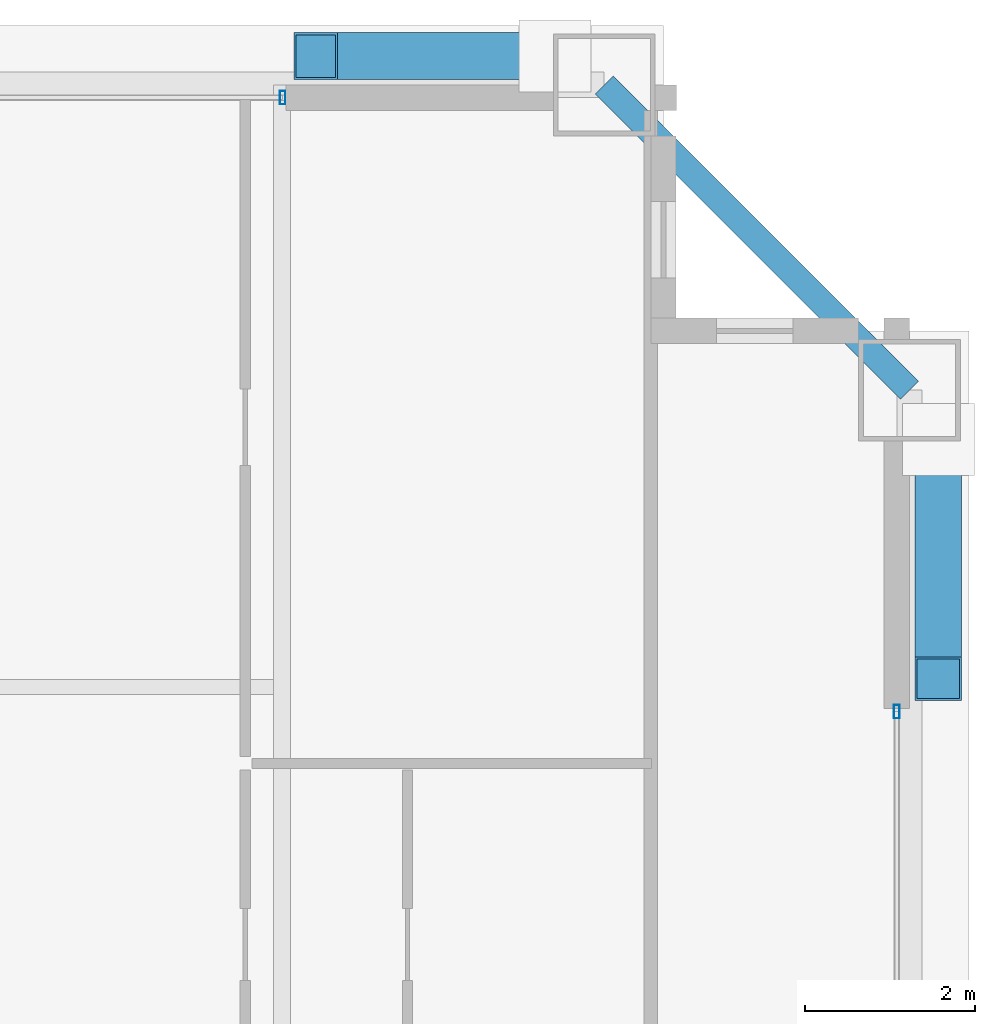
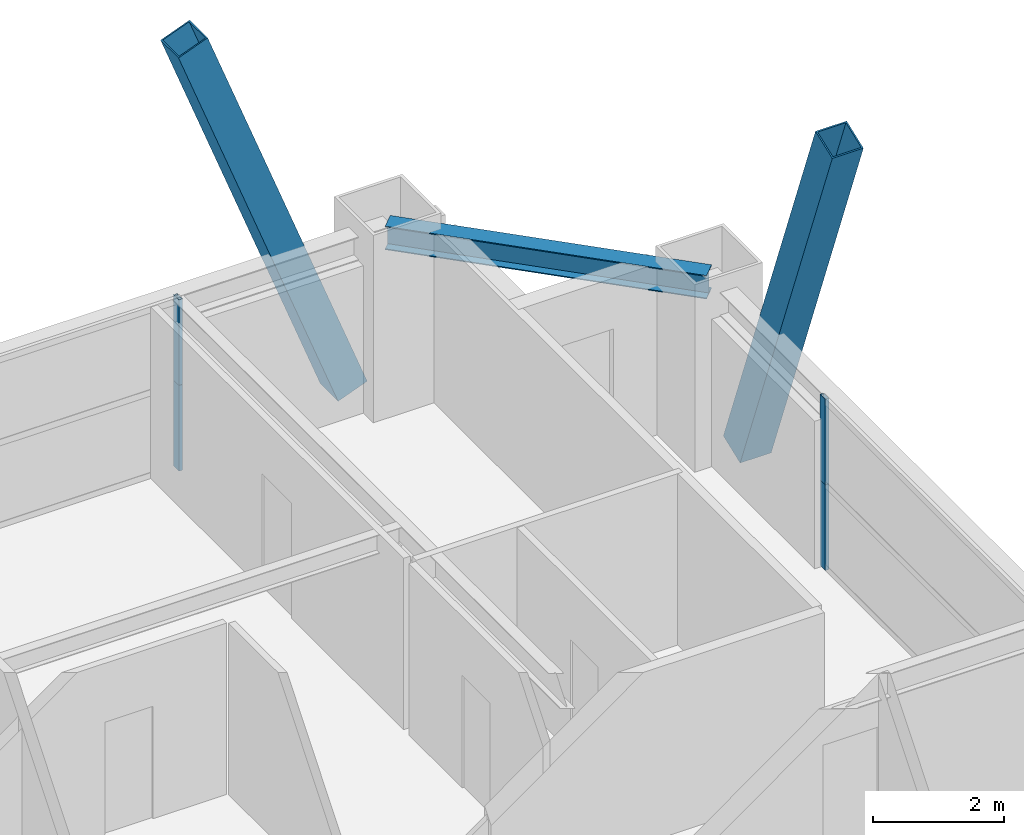
# One storey, part 29 of 36: 6 members, 1 beam, 2 elements without a shape of their own.
"""IFC4 building model written with IfcOpenShell, lengths in metres."""

from ifc_helpers import new_model, si_unit, direction, frame, origin, origin_2d, place, context, subcontext, project, spatial, hollow_rectangle, i_section, extrude, source, transform, mapped, material, layer, layer_set, material_profile, profile_set, type_object, element, aggregate, save


model = new_model("IFC4")

# Units and contexts
model_context = context("Model", 3, precision=1e-05, world=origin(), true_north=direction((0.0, 1.0)))
body_context = subcontext(model_context, "Body", "Model", "MODEL_VIEW")
ifc_project = project(units=[si_unit("LENGTHUNIT", "METRE"), si_unit("AREAUNIT", "SQUARE_METRE"), si_unit("VOLUMEUNIT", "CUBIC_METRE"), si_unit("PLANEANGLEUNIT", "RADIAN"), si_unit("MASSUNIT", "GRAM", prefix="KILO"), si_unit("THERMODYNAMICTEMPERATUREUNIT", "KELVIN"), si_unit("POWERUNIT", "WATT")], contexts=[model_context])

# Site, building, storey
site_placement = place(None, origin())
site = spatial("IfcSite", under=ifc_project, at=site_placement, CompositionType="ELEMENT")
building_placement = place(site_placement, origin())
building = spatial("IfcBuilding", under=site, at=building_placement, Name="Yuzanri Waterfront Tower", CompositionType="ELEMENT")
storey_placement = place(building_placement, frame((0.0, 0.0, 255.60009765625)))
storey = spatial("IfcBuildingStorey", under=building, at=storey_placement, Name="L68", CompositionType="ELEMENT", Elevation=255.60009765625)

# Beam
ifc_material_1 = material(Name="Steel Q355B", Category="steel")
ifc_material_profile_1 = material_profile(ifc_material_1, i_section(OverallWidth=0.300048828125, OverallDepth=0.43994140625, WebThickness=0.010986328125, FlangeThickness=0.01806640625, at=origin_2d()), Name="HM 440x300x11x18")
ifc_profile_set_1 = profile_set([ifc_material_profile_1], Name="Steel Q355B")
beam_type = type_object("IfcBeamType", Name="Perimeter Spandrel Q355B HM 440x300", PredefinedType="SPANDREL", material=ifc_profile_set_1)
shared_shape_1 = source(origin(), body_context, "Body", "SweptSolid", [
    extrude(i_section(OverallWidth=0.300048828125, OverallDepth=0.43994140625, WebThickness=0.010986328125, FlangeThickness=0.01806640625, at=origin_2d()), origin(), (0.0, 0.0, 1.0), 5.091064453125),
])
beam_placement = place(storey_placement, frame((57.60009765625, 42.800048828125, 2.97998046875), z_axis=(-0.707130757816, 0.707082803744, 0.0), x_axis=(-0.707082803744, -0.707130757816, 0.0)))
element("IfcBeam", 1, at=beam_placement, inside=storey, type_object=beam_type, Name="L68 Perimeter Spandrel E3-N3", PredefinedType="SPANDREL", context=body_context, shape_type="MappedRepresentation", body=[
    mapped(shared_shape_1, transform((0.0, 0.0, 0.0), scale=1.0)),
])

# Members
ifc_material_2 = material(Name="Steel Q390GJC", Category="steel")
ifc_material_profile_2 = material_profile(ifc_material_2, hollow_rectangle(XDim=0.550048828125, YDim=0.550048828125, WallThickness=0.02490234375, at=origin_2d()), Name="RHS 550x550x25")
ifc_profile_set_2 = profile_set([ifc_material_profile_2], Name="Steel Q390GJC")
member_type_1 = type_object("IfcMemberType", Name="Mega Brace Mid Q390GJC RHS 550x550x25", PredefinedType="BRACE", material=ifc_profile_set_2)
shared_shape_2 = source(origin(), body_context, "Body", "SweptSolid", [
    extrude(hollow_rectangle(XDim=0.550048828125, YDim=0.550048828125, WallThickness=0.02490234375, at=origin_2d()), origin(), (0.0, 0.0, 1.0), 7.9189453125),
])
for number, where, z_axis, x_axis, name in (
    (2, (53.419921875, 46.739990234375, 0.179931640625), (-0.356085068362, 0.0, 0.934453543034), (0.0, -1.0, 0.0), "L68-L69 Perimeter Mega-Brace N-R"),
    (3, (57.93994140625, 42.219970703125, 0.179931640625), (0.0, -0.356111988672, 0.934443284274), (1.0, 0.0, 0.0), "L68-L69 Perimeter Mega-Brace E-R"),
):
    element("IfcMember", number, at=place(storey_placement, frame(where, z_axis=z_axis, x_axis=x_axis)), inside=storey, type_object=member_type_1, Name=name, PredefinedType="BRACE", context=body_context, shape_type="MappedRepresentation", body=[
        mapped(shared_shape_2, transform((0.0, 0.0, 0.0), scale=1.0)),
    ])

# Curtain wall, member
ifc_material_3 = material(Name="Anodized Architectural Bronze", Category="metal")
ifc_layer = layer(ifc_material_3, 0.159912109375)
ifc_layer_set = layer_set([ifc_layer], Name="Anodized Architectural Bronze")
curtain_wall_type = type_object("IfcCurtainWallType", Name="Anodized Bronze Mid-Rise Residential Acoustic Unitized Curtain Wall 7200", PredefinedType="NOTDEFINED", material=ifc_layer_set)
curtain_wall_1_placement = place(storey_placement, origin())
curtain_wall_1 = element("IfcCurtainWall", 4, at=curtain_wall_1_placement, inside=storey, type_object=curtain_wall_type, Name="L68 Curtain Wall CW-L68-NR", PredefinedType="NOTDEFINED")
ifc_material_4 = material(Name="Anodized Architectural Bronze", Category="metal")
ifc_material_profile_3 = material_profile(ifc_material_4, hollow_rectangle(XDim=0.06494140625, YDim=0.159912109375, WallThickness=0.00341796875, at=origin_2d()), Name="CWM 65x160")
ifc_profile_set_3 = profile_set([ifc_material_profile_3], Name="Anodized Architectural Bronze")
member_type_2 = type_object("IfcMemberType", Name="Anodized Bronze Upper-Zone Curtain-Wall Mullion 65x160", PredefinedType="MULLION", material=ifc_profile_set_3)
shared_shape_3 = source(origin(), body_context, "Body", "SweptSolid", [
    extrude(hollow_rectangle(XDim=0.06494140625, YDim=0.159912109375, WallThickness=0.00341796875, at=origin_2d()), origin(), (0.0, 0.0, 1.0), 1.597900390625),
])
member_1_placement = place(storey_placement, frame((50.2099609375, 46.25, 0.0), z_axis=(0.0, 0.0, 1.0), x_axis=(1.0, 0.0, 0.0)))
member_1 = element("IfcMember", 5, at=member_1_placement, type_object=member_type_2, Name="CW-L68-NR Lower Mullion 02", PredefinedType="MULLION", context=body_context, shape_type="MappedRepresentation", body=[
    mapped(shared_shape_3, transform((0.0, 0.0, 0.0), scale=1.0)),
])

curtain_wall_2_placement = place(storey_placement, origin())
curtain_wall_2 = element("IfcCurtainWall", 6, at=curtain_wall_2_placement, inside=storey, type_object=curtain_wall_type, Name="L68 Curtain Wall CW-L68-ER", PredefinedType="NOTDEFINED")
member_2_placement = place(storey_placement, frame((57.449951171875, 39.010009765625, 0.0), z_axis=(0.0, 0.0, 1.0), x_axis=(1.0, 0.0, 0.0)))
member_2 = element("IfcMember", 7, at=member_2_placement, type_object=member_type_2, Name="CW-L68-ER Lower Mullion 02", PredefinedType="MULLION", context=body_context, shape_type="MappedRepresentation", body=[
    mapped(shared_shape_3, transform((0.0, 0.0, 0.0), scale=1.0)),
])

# Member
shared_shape_4 = source(origin(), body_context, "Body", "SweptSolid", [
    extrude(hollow_rectangle(XDim=0.06494140625, YDim=0.159912109375, WallThickness=0.00341796875, at=origin_2d()), origin(), (0.0, 0.0, 1.0), 1.59814453125),
])
member_3_placement = place(storey_placement, frame((50.2099609375, 46.25, 1.601806640625), z_axis=(0.0, 0.0, 1.0), x_axis=(1.0, 0.0, 0.0)))
member_3 = element("IfcMember", 8, at=member_3_placement, type_object=member_type_2, Name="CW-L68-NR Upper Mullion 02", PredefinedType="MULLION", context=body_context, shape_type="MappedRepresentation", body=[
    mapped(shared_shape_4, transform((0.0, 0.0, 0.0), scale=1.0)),
])

aggregate(curtain_wall_1, [member_1, member_3])

member_4_placement = place(storey_placement, frame((57.449951171875, 39.010009765625, 1.601806640625), z_axis=(0.0, 0.0, 1.0), x_axis=(1.0, 0.0, 0.0)))
member_4 = element("IfcMember", 9, at=member_4_placement, type_object=member_type_2, Name="CW-L68-ER Upper Mullion 02", PredefinedType="MULLION", context=body_context, shape_type="MappedRepresentation", body=[
    mapped(shared_shape_4, transform((0.0, 0.0, 0.0), scale=1.0)),
])

aggregate(curtain_wall_2, [member_2, member_4])

save(model, "model.ifc")
